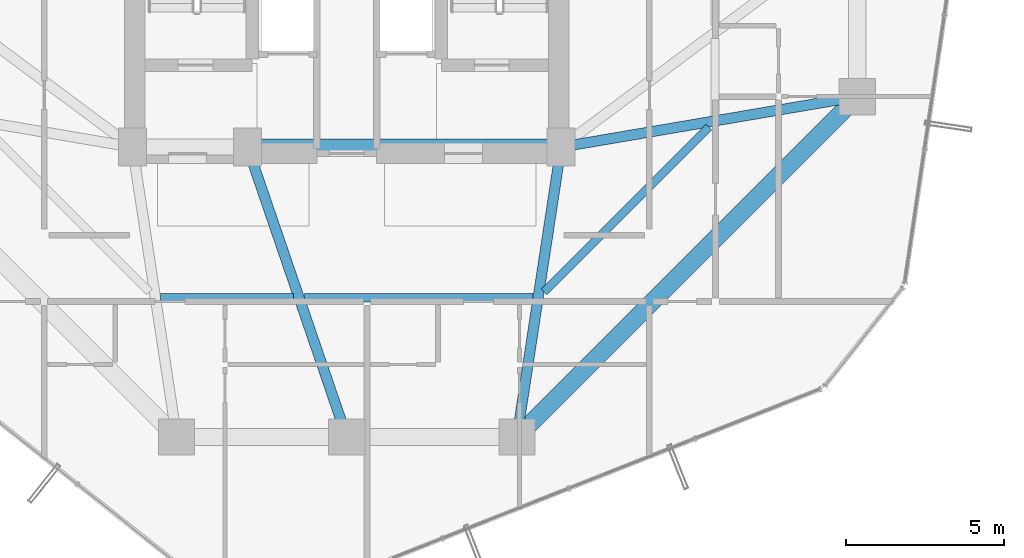
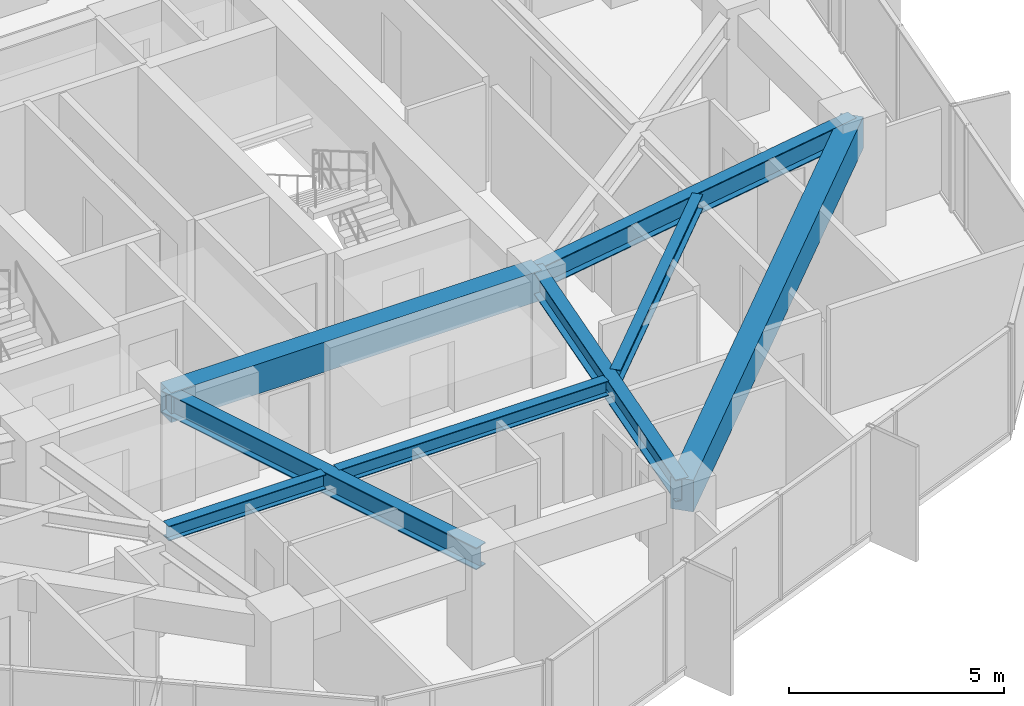
# One storey, part 9 of 29: 8 beams.
"""IFC4 building model written with IfcOpenShell, lengths in metres."""

from ifc_helpers import new_model, si_unit, direction, frame, origin, origin_2d, place, context, subcontext, project, spatial, rectangle, i_section, extrude, material, material_profile, profile_set, type_object, element, save


model = new_model("IFC4")

# Units and contexts
model_context = context("Model", 3, precision=1e-05, world=origin(), true_north=direction((0.0, 1.0)))
body_context = subcontext(model_context, "Body", "Model", "MODEL_VIEW")
ifc_project = project(units=[si_unit("LENGTHUNIT", "METRE"), si_unit("AREAUNIT", "SQUARE_METRE"), si_unit("VOLUMEUNIT", "CUBIC_METRE"), si_unit("PLANEANGLEUNIT", "RADIAN"), si_unit("MASSUNIT", "GRAM", prefix="KILO")], contexts=[model_context])

# Site, building, storey
site_placement = place(None, origin())
site = spatial("IfcSite", under=ifc_project, at=site_placement, CompositionType="ELEMENT")
building_placement = place(site_placement, origin())
building = spatial("IfcBuilding", under=site, at=building_placement, Name="Veraguas Prism Commons", CompositionType="ELEMENT")
storey_placement = place(building_placement, frame((0.0, 0.0, 99.199951171875)))
storey = spatial("IfcBuildingStorey", under=building, at=storey_placement, Name="L27", CompositionType="ELEMENT", Elevation=99.199951171875)

# Beams
ifc_material_1 = material(Name="Concrete C50/60", Category="concrete")
ifc_material_profile_1 = material_profile(ifc_material_1, rectangle(XDim=0.5, YDim=0.85009765625, at=origin_2d()), Name="RC500X850")
ifc_profile_set_1 = profile_set([ifc_material_profile_1], Name="Concrete C50/60")
beam_type_1 = type_object("IfcBeamType", Name="Core Coupling Beam RC 500x850", PredefinedType="BEAM", material=ifc_profile_set_1)
beam_1_placement = place(storey_placement, frame((20.85009765625, 17.0, 2.574951171875), z_axis=(1.0, 0.0, 0.0), x_axis=(0.0, 1.0, 0.0)))
element("IfcBeam", 1, at=beam_1_placement, inside=storey, type_object=beam_type_1, Name="Core Coupling Beam L27-CRS2", PredefinedType="BEAM", context=body_context, shape_type="SweptSolid", body=[
    extrude(rectangle(XDim=0.5, YDim=0.85009765625, at=origin_2d()), origin(), (0.0, 0.0, 1.0), 9.949951171875),
])
ifc_material_2 = material(Name="Steel ASTM A992 Grade 50", Category="steel")
ifc_material_profile_2 = material_profile(ifc_material_2, i_section(OverallWidth=0.260986328125, OverallDepth=0.419921875, WebThickness=0.01171875, FlangeThickness=0.019287109375, at=origin_2d()), Name="W410X114")
ifc_profile_set_2 = profile_set([ifc_material_profile_2], Name="Steel ASTM A992 Grade 50")
beam_type_2 = type_object("IfcBeamType", Name="Lower Floor Joist W410x114", PredefinedType="JOIST", material=ifc_profile_set_2)
beam_2_placement = place(storey_placement, frame((18.091796875, 12.216064453125, 2.7900390625), z_axis=(1.0, 0.0, 0.0), x_axis=(0.0, 1.0, 0.0)))
element("IfcBeam", 2, at=beam_2_placement, inside=storey, type_object=beam_type_2, Name="Composite Floor Joist L27-JS10", PredefinedType="JOIST", context=body_context, shape_type="SweptSolid", body=[
    extrude(i_section(OverallWidth=0.260986328125, OverallDepth=0.419921875, WebThickness=0.01171875, FlangeThickness=0.019287109375, at=origin_2d()), origin(), (0.0, 0.0, 1.0), 4.22509765625),
])
beam_3_placement = place(storey_placement, frame((22.6591796875, 12.216064453125, 2.7900390625), z_axis=(1.0, 0.0, 0.0), x_axis=(0.0, 1.0, 0.0)))
element("IfcBeam", 3, at=beam_3_placement, inside=storey, type_object=beam_type_2, Name="Composite Floor Joist L27-JS11", PredefinedType="JOIST", context=body_context, shape_type="SweptSolid", body=[
    extrude(i_section(OverallWidth=0.260986328125, OverallDepth=0.419921875, WebThickness=0.01171875, FlangeThickness=0.019287109375, at=origin_2d()), origin(), (0.0, 0.0, 1.0), 7.2490234375),
])
beam_4_placement = place(storey_placement, frame((30.265380859375, 12.4091796875, 2.7900390625), z_axis=(0.707090260193, 0.707123301794, 0.0), x_axis=(-0.707123301794, 0.707090260193, 0.0)))
element("IfcBeam", 4, at=beam_4_placement, inside=storey, type_object=beam_type_2, Name="Composite Floor Joist L27-JS12", PredefinedType="JOIST", context=body_context, shape_type="SweptSolid", body=[
    extrude(i_section(OverallWidth=0.260986328125, OverallDepth=0.419921875, WebThickness=0.01171875, FlangeThickness=0.019287109375, at=origin_2d()), origin(), (0.0, 0.0, 1.0), 7.388916015625),
])
ifc_material_profile_3 = material_profile(ifc_material_1, rectangle(XDim=0.550048828125, YDim=0.89990234375, at=origin_2d()), Name="RC550X900")
ifc_profile_set_3 = profile_set([ifc_material_profile_3], Name="Concrete C50/60")
beam_type_3 = type_object("IfcBeamType", Name="Perimeter Spandrel Lower RC 550x900", PredefinedType="SPANDREL", material=ifc_profile_set_3)
beam_5_placement = place(storey_placement, frame((29.39990234375, 7.800048828125, 2.550048828125), z_axis=(0.707106781187, 0.707106781187, 0.0), x_axis=(-0.707106781187, 0.707106781187, 0.0)))
element("IfcBeam", 5, at=beam_5_placement, inside=storey, type_object=beam_type_3, Name="Perimeter Spandrel Beam L27-SP12", PredefinedType="SPANDREL", context=body_context, shape_type="SweptSolid", body=[
    extrude(rectangle(XDim=0.550048828125, YDim=0.89990234375, at=origin_2d()), origin(), (0.0, 0.0, 1.0), 15.273681640625),
])
ifc_material_profile_4 = material_profile(ifc_material_2, i_section(OverallWidth=0.327880859375, OverallDepth=0.6220703125, WebThickness=0.015380859375, FlangeThickness=0.0244140625, at=origin_2d()), Name="W610X195")
ifc_profile_set_4 = profile_set([ifc_material_profile_4], Name="Steel ASTM A992 Grade 50")
beam_type_4 = type_object("IfcBeamType", Name="Zone 2 Radial Girder W610x195", PredefinedType="BEAM", material=ifc_profile_set_4)
beam_6_placement = place(storey_placement, frame((40.199951171875, 18.60009765625, 2.68896484375), z_axis=(-0.985819187151, -0.1678109956, 0.0), x_axis=(0.1678109956, -0.985819187151, 0.0)))
element("IfcBeam", 6, at=beam_6_placement, inside=storey, type_object=beam_type_4, Name="Radial Floor Girder L27-RD01", PredefinedType="BEAM", context=body_context, shape_type="SweptSolid", body=[
    extrude(i_section(OverallWidth=0.327880859375, OverallDepth=0.6220703125, WebThickness=0.015380859375, FlangeThickness=0.0244140625, at=origin_2d()), origin(), (0.0, 0.0, 1.0), 9.53515625),
])
beam_7_placement = place(storey_placement, frame((24.0, 7.800048828125, 2.68896484375), z_axis=(-0.323922482989, 0.946083624747, 0.0), x_axis=(-0.946083624747, -0.323922482989, 0.0)))
element("IfcBeam", 7, at=beam_7_placement, inside=storey, type_object=beam_type_4, Name="Radial Floor Girder L27-RD11", PredefinedType="BEAM", context=body_context, shape_type="SweptSolid", body=[
    extrude(i_section(OverallWidth=0.327880859375, OverallDepth=0.6220703125, WebThickness=0.015380859375, FlangeThickness=0.0244140625, at=origin_2d()), origin(), (0.0, 0.0, 1.0), 9.724365234375),
])
beam_8_placement = place(storey_placement, frame((29.39990234375, 7.800048828125, 2.68896484375), z_axis=(0.150458162136, 0.98861637729, 0.0), x_axis=(-0.98861637729, 0.150458162136, 0.0)))
element("IfcBeam", 8, at=beam_8_placement, inside=storey, type_object=beam_type_4, Name="Radial Floor Girder L27-RD12", PredefinedType="BEAM", context=body_context, shape_type="SweptSolid", body=[
    extrude(i_section(OverallWidth=0.327880859375, OverallDepth=0.6220703125, WebThickness=0.015380859375, FlangeThickness=0.0244140625, at=origin_2d()), origin(), (0.0, 0.0, 1.0), 9.305908203125),
])

save(model, "model.ifc")
